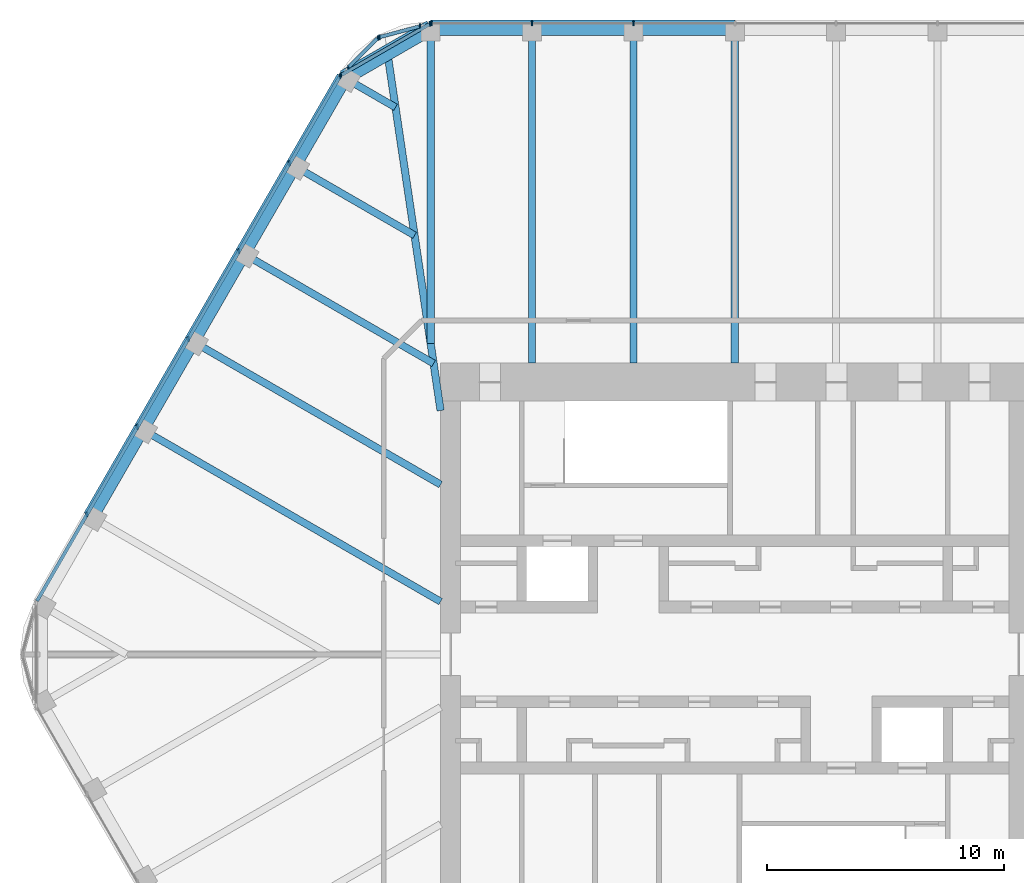
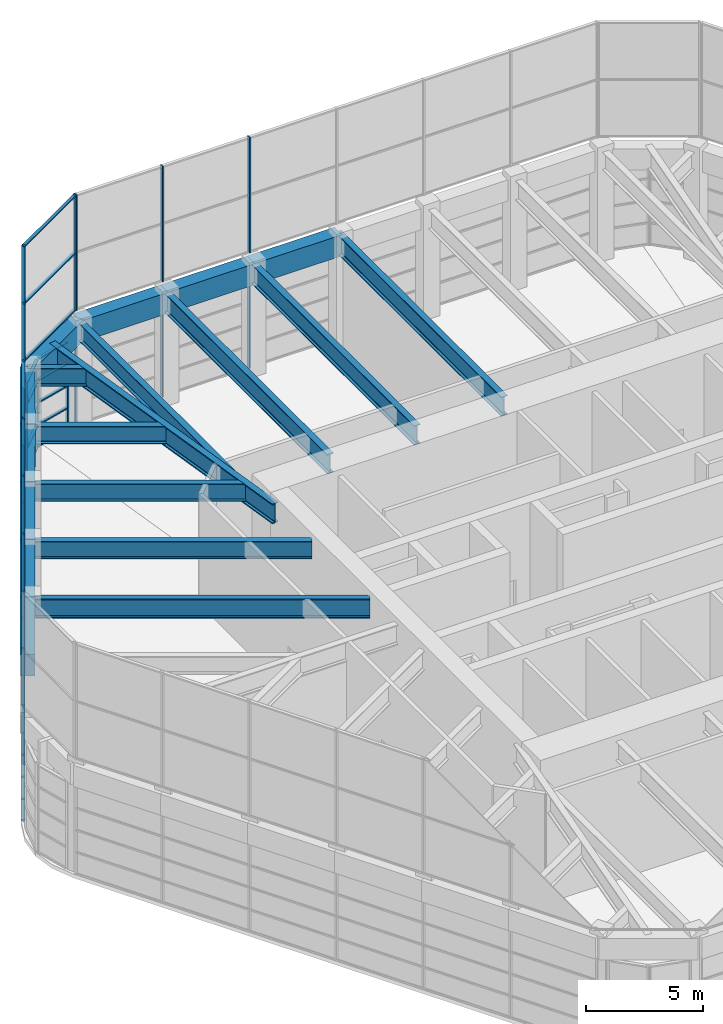
# One storey, part 7 of 17: 45 members, 19 beams, 7 elements without a shape of their own.
"""IFC4 building model written with IfcOpenShell, lengths in metres."""

from ifc_helpers import new_model, si_unit, direction, frame, origin, origin_2d, place, context, subcontext, project, spatial, rectangle, i_section, extrude, material, material_profile, profile_set, type_object, element, aggregate, save


model = new_model("IFC4")

# Units and contexts
model_context = context("Model", 3, precision=1e-05, world=origin(), true_north=direction((0.0, 1.0)))
body_context = subcontext(model_context, "Body", "Model", "MODEL_VIEW")
ifc_project = project(units=[si_unit("LENGTHUNIT", "METRE"), si_unit("AREAUNIT", "SQUARE_METRE"), si_unit("VOLUMEUNIT", "CUBIC_METRE"), si_unit("PLANEANGLEUNIT", "RADIAN"), si_unit("MASSUNIT", "GRAM", prefix="KILO")], contexts=[model_context])

# Site, building, storey
site_placement = place(None, origin())
site = spatial("IfcSite", under=ifc_project, at=site_placement, CompositionType="ELEMENT")
building_placement = place(site_placement, origin())
building = spatial("IfcBuilding", under=site, at=building_placement, Name="Tarfa Lantern Tower", CompositionType="ELEMENT")
storey_placement = place(building_placement, frame((0.0, 0.0, 402.300048828125)))
storey = spatial("IfcBuildingStorey", under=building, at=storey_placement, Name="L91", CompositionType="ELEMENT", Elevation=402.300048828125)

# Curtain wall, members
ifc_material_1 = material(Name="Aluminium framed curtain wall", Category="aluminium")
curtain_wall_type_1 = type_object("IfcCurtainWallType", Name="CW8 LANTERN GLAZING 4600", PredefinedType="USERDEFINED", material=ifc_material_1)
curtain_wall_1_placement = place(storey_placement, origin())
curtain_wall_1 = element("IfcCurtainWall", 1, at=curtain_wall_1_placement, inside=storey, type_object=curtain_wall_type_1, Name="CW8 NNW1 L91", ObjectType="CURTAIN WALL", PredefinedType="USERDEFINED")
ifc_material_2 = material(Name="Aluminium mullion", Category="aluminium")
ifc_material_profile_1 = material_profile(ifc_material_2, rectangle(XDim=0.06494140625, YDim=0.199951171875, at=origin_2d()), Name="AL MULLION 65x200")
ifc_profile_set_1 = profile_set([ifc_material_profile_1], Name="Aluminium mullion")
member_type_1 = type_object("IfcMemberType", Name="CWM1 MULLION 65x200", PredefinedType="MULLION", material=ifc_profile_set_1)
member_1_placement = place(storey_placement, frame((-13.30322265625, 26.527587890625, 0.0), z_axis=(0.0, 0.0, 1.0), x_axis=(1.0, 0.0, 0.0)))
member_1 = element("IfcMember", 2, at=member_1_placement, type_object=member_type_1, Name="CW8 mullion 1", PredefinedType="MULLION", context=body_context, shape_type="SweptSolid", body=[
    extrude(rectangle(XDim=0.06494140625, YDim=0.199951171875, at=origin_2d()), origin(), (0.0, 0.0, 1.0), 4.599853515625),
])
member_2_placement = place(storey_placement, frame((-15.0146484375, 26.06884765625, 0.0), z_axis=(0.0, 0.0, 1.0), x_axis=(1.0, 0.0, 0.0)))
member_2 = element("IfcMember", 3, at=member_2_placement, type_object=member_type_1, Name="CW8 mullion 2", PredefinedType="MULLION", context=body_context, shape_type="SweptSolid", body=[
    extrude(rectangle(XDim=0.06494140625, YDim=0.199951171875, at=origin_2d()), origin(), (0.0, 0.0, 1.0), 4.599853515625),
])

curtain_wall_2_placement = place(storey_placement, origin())
curtain_wall_2 = element("IfcCurtainWall", 4, at=curtain_wall_2_placement, inside=storey, type_object=curtain_wall_type_1, Name="CW8 NNW2 L91", ObjectType="CURTAIN WALL", PredefinedType="USERDEFINED")
member_3_placement = place(storey_placement, frame((-15.069091796875, 26.03759765625, 0.0), z_axis=(0.0, 0.0, 1.0), x_axis=(1.0, 0.0, 0.0)))
member_3 = element("IfcMember", 5, at=member_3_placement, type_object=member_type_1, Name="CW8 mullion 1", PredefinedType="MULLION", context=body_context, shape_type="SweptSolid", body=[
    extrude(rectangle(XDim=0.06494140625, YDim=0.199951171875, at=origin_2d()), origin(), (0.0, 0.0, 1.0), 4.599853515625),
])
member_4_placement = place(storey_placement, frame((-16.32177734375, 24.78466796875, 0.0), z_axis=(0.0, 0.0, 1.0), x_axis=(1.0, 0.0, 0.0)))
member_4 = element("IfcMember", 6, at=member_4_placement, type_object=member_type_1, Name="CW8 mullion 2", PredefinedType="MULLION", context=body_context, shape_type="SweptSolid", body=[
    extrude(rectangle(XDim=0.06494140625, YDim=0.199951171875, at=origin_2d()), origin(), (0.0, 0.0, 1.0), 4.599853515625),
])

curtain_wall_3_placement = place(storey_placement, origin())
curtain_wall_3 = element("IfcCurtainWall", 7, at=curtain_wall_3_placement, inside=storey, type_object=curtain_wall_type_1, Name="CW8 N L91", ObjectType="CURTAIN WALL", PredefinedType="USERDEFINED")
member_5_placement = place(storey_placement, frame((-4.281982421875, 26.64990234375, 0.0), z_axis=(0.0, 0.0, 1.0), x_axis=(1.0, 0.0, 0.0)))
member_5 = element("IfcMember", 8, at=member_5_placement, type_object=member_type_1, Name="CW8 mullion 5", PredefinedType="MULLION", context=body_context, shape_type="SweptSolid", body=[
    extrude(rectangle(XDim=0.06494140625, YDim=0.199951171875, at=origin_2d()), origin(), (0.0, 0.0, 1.0), 4.599853515625),
])
member_6_placement = place(storey_placement, frame((-8.56396484375, 26.64990234375, 0.0), z_axis=(0.0, 0.0, 1.0), x_axis=(1.0, 0.0, 0.0)))
member_6 = element("IfcMember", 9, at=member_6_placement, type_object=member_type_1, Name="CW8 mullion 6", PredefinedType="MULLION", context=body_context, shape_type="SweptSolid", body=[
    extrude(rectangle(XDim=0.06494140625, YDim=0.199951171875, at=origin_2d()), origin(), (0.0, 0.0, 1.0), 4.599853515625),
])
member_7_placement = place(storey_placement, frame((-12.8134765625, 26.64990234375, 0.0), z_axis=(0.0, 0.0, 1.0), x_axis=(1.0, 0.0, 0.0)))
member_7 = element("IfcMember", 10, at=member_7_placement, type_object=member_type_1, Name="CW8 mullion 7", PredefinedType="MULLION", context=body_context, shape_type="SweptSolid", body=[
    extrude(rectangle(XDim=0.06494140625, YDim=0.199951171875, at=origin_2d()), origin(), (0.0, 0.0, 1.0), 4.599853515625),
])
aggregate(curtain_wall_3, [member_5, member_6, member_7])

curtain_wall_4_placement = place(storey_placement, origin())
curtain_wall_4 = element("IfcCurtainWall", 11, at=curtain_wall_4_placement, inside=storey, type_object=curtain_wall_type_1, Name="CW8 NW L91", ObjectType="CURTAIN WALL", PredefinedType="USERDEFINED")
member_8_placement = place(storey_placement, frame((-16.6728515625, 24.421875, 0.0), z_axis=(0.0, 0.0, 1.0), x_axis=(1.0, 0.0, 0.0)))
member_8 = element("IfcMember", 12, at=member_8_placement, type_object=member_type_1, Name="CW8 mullion 1", PredefinedType="MULLION", context=body_context, shape_type="SweptSolid", body=[
    extrude(rectangle(XDim=0.06494140625, YDim=0.199951171875, at=origin_2d()), origin(), (0.0, 0.0, 1.0), 4.599853515625),
])
member_9_placement = place(storey_placement, frame((-18.797607421875, 20.74169921875, 0.0), z_axis=(0.0, 0.0, 1.0), x_axis=(1.0, 0.0, 0.0)))
member_9 = element("IfcMember", 13, at=member_9_placement, type_object=member_type_1, Name="CW8 mullion 2", PredefinedType="MULLION", context=body_context, shape_type="SweptSolid", body=[
    extrude(rectangle(XDim=0.06494140625, YDim=0.199951171875, at=origin_2d()), origin(), (0.0, 0.0, 1.0), 4.599853515625),
])
member_10_placement = place(storey_placement, frame((-20.9384765625, 17.033447265625, 0.0), z_axis=(0.0, 0.0, 1.0), x_axis=(1.0, 0.0, 0.0)))
member_10 = element("IfcMember", 14, at=member_10_placement, type_object=member_type_1, Name="CW8 mullion 3", PredefinedType="MULLION", context=body_context, shape_type="SweptSolid", body=[
    extrude(rectangle(XDim=0.06494140625, YDim=0.199951171875, at=origin_2d()), origin(), (0.0, 0.0, 1.0), 4.599853515625),
])
member_11_placement = place(storey_placement, frame((-23.07958984375, 13.324951171875, 0.0), z_axis=(0.0, 0.0, 1.0), x_axis=(1.0, 0.0, 0.0)))
member_11 = element("IfcMember", 15, at=member_11_placement, type_object=member_type_1, Name="CW8 mullion 4", PredefinedType="MULLION", context=body_context, shape_type="SweptSolid", body=[
    extrude(rectangle(XDim=0.06494140625, YDim=0.199951171875, at=origin_2d()), origin(), (0.0, 0.0, 1.0), 4.599853515625),
])
member_12_placement = place(storey_placement, frame((-25.220703125, 9.61669921875, 0.0), z_axis=(0.0, 0.0, 1.0), x_axis=(1.0, 0.0, 0.0)))
member_12 = element("IfcMember", 16, at=member_12_placement, type_object=member_type_1, Name="CW8 mullion 5", PredefinedType="MULLION", context=body_context, shape_type="SweptSolid", body=[
    extrude(rectangle(XDim=0.06494140625, YDim=0.199951171875, at=origin_2d()), origin(), (0.0, 0.0, 1.0), 4.599853515625),
])
member_13_placement = place(storey_placement, frame((-27.361572265625, 5.908447265625, 0.0), z_axis=(0.0, 0.0, 1.0), x_axis=(1.0, 0.0, 0.0)))
member_13 = element("IfcMember", 17, at=member_13_placement, type_object=member_type_1, Name="CW8 mullion 6", PredefinedType="MULLION", context=body_context, shape_type="SweptSolid", body=[
    extrude(rectangle(XDim=0.06494140625, YDim=0.199951171875, at=origin_2d()), origin(), (0.0, 0.0, 1.0), 4.599853515625),
])

curtain_wall_type_2 = type_object("IfcCurtainWallType", Name="CW9 CROWN SCREEN GLAZING 6000", PredefinedType="USERDEFINED", material=ifc_material_1)
curtain_wall_5_placement = place(storey_placement, origin())
curtain_wall_5 = element("IfcCurtainWall", 18, at=curtain_wall_5_placement, inside=storey, type_object=curtain_wall_type_2, Name="CW9 N L91", ObjectType="CURTAIN WALL", PredefinedType="USERDEFINED")
member_14_placement = place(storey_placement, frame((-4.281982421875, 26.64990234375, 6.0), z_axis=(0.0, 0.0, 1.0), x_axis=(1.0, 0.0, 0.0)))
member_14 = element("IfcMember", 19, at=member_14_placement, type_object=member_type_1, Name="CW9 mullion 5", PredefinedType="MULLION", context=body_context, shape_type="SweptSolid", body=[
    extrude(rectangle(XDim=0.06494140625, YDim=0.199951171875, at=origin_2d()), origin(), (0.0, 0.0, 1.0), 6.0),
])
member_15_placement = place(storey_placement, frame((-8.56396484375, 26.64990234375, 6.0), z_axis=(0.0, 0.0, 1.0), x_axis=(1.0, 0.0, 0.0)))
member_15 = element("IfcMember", 20, at=member_15_placement, type_object=member_type_1, Name="CW9 mullion 6", PredefinedType="MULLION", context=body_context, shape_type="SweptSolid", body=[
    extrude(rectangle(XDim=0.06494140625, YDim=0.199951171875, at=origin_2d()), origin(), (0.0, 0.0, 1.0), 6.0),
])
member_16_placement = place(storey_placement, frame((-12.8134765625, 26.64990234375, 6.0), z_axis=(0.0, 0.0, 1.0), x_axis=(1.0, 0.0, 0.0)))
member_16 = element("IfcMember", 21, at=member_16_placement, type_object=member_type_1, Name="CW9 mullion 7", PredefinedType="MULLION", context=body_context, shape_type="SweptSolid", body=[
    extrude(rectangle(XDim=0.06494140625, YDim=0.199951171875, at=origin_2d()), origin(), (0.0, 0.0, 1.0), 6.0),
])
aggregate(curtain_wall_5, [member_14, member_15, member_16])

curtain_wall_6_placement = place(storey_placement, origin())
curtain_wall_6 = element("IfcCurtainWall", 22, at=curtain_wall_6_placement, inside=storey, type_object=curtain_wall_type_2, Name="CW9 NW L91", ObjectType="CURTAIN WALL", PredefinedType="USERDEFINED")
member_17_placement = place(storey_placement, frame((-16.6728515625, 24.421875, 6.0), z_axis=(0.0, 0.0, 1.0), x_axis=(1.0, 0.0, 0.0)))
member_17 = element("IfcMember", 23, at=member_17_placement, type_object=member_type_1, Name="CW9 mullion 1", PredefinedType="MULLION", context=body_context, shape_type="SweptSolid", body=[
    extrude(rectangle(XDim=0.06494140625, YDim=0.199951171875, at=origin_2d()), origin(), (0.0, 0.0, 1.0), 6.0),
])
member_18_placement = place(storey_placement, frame((-18.797607421875, 20.74169921875, 6.0), z_axis=(0.0, 0.0, 1.0), x_axis=(1.0, 0.0, 0.0)))
member_18 = element("IfcMember", 24, at=member_18_placement, type_object=member_type_1, Name="CW9 mullion 2", PredefinedType="MULLION", context=body_context, shape_type="SweptSolid", body=[
    extrude(rectangle(XDim=0.06494140625, YDim=0.199951171875, at=origin_2d()), origin(), (0.0, 0.0, 1.0), 6.0),
])
member_19_placement = place(storey_placement, frame((-20.9384765625, 17.033447265625, 6.0), z_axis=(0.0, 0.0, 1.0), x_axis=(1.0, 0.0, 0.0)))
member_19 = element("IfcMember", 25, at=member_19_placement, type_object=member_type_1, Name="CW9 mullion 3", PredefinedType="MULLION", context=body_context, shape_type="SweptSolid", body=[
    extrude(rectangle(XDim=0.06494140625, YDim=0.199951171875, at=origin_2d()), origin(), (0.0, 0.0, 1.0), 6.0),
])
member_20_placement = place(storey_placement, frame((-23.07958984375, 13.324951171875, 6.0), z_axis=(0.0, 0.0, 1.0), x_axis=(1.0, 0.0, 0.0)))
member_20 = element("IfcMember", 26, at=member_20_placement, type_object=member_type_1, Name="CW9 mullion 4", PredefinedType="MULLION", context=body_context, shape_type="SweptSolid", body=[
    extrude(rectangle(XDim=0.06494140625, YDim=0.199951171875, at=origin_2d()), origin(), (0.0, 0.0, 1.0), 6.0),
])
member_21_placement = place(storey_placement, frame((-25.220703125, 9.61669921875, 6.0), z_axis=(0.0, 0.0, 1.0), x_axis=(1.0, 0.0, 0.0)))
member_21 = element("IfcMember", 27, at=member_21_placement, type_object=member_type_1, Name="CW9 mullion 5", PredefinedType="MULLION", context=body_context, shape_type="SweptSolid", body=[
    extrude(rectangle(XDim=0.06494140625, YDim=0.199951171875, at=origin_2d()), origin(), (0.0, 0.0, 1.0), 6.0),
])
member_22_placement = place(storey_placement, frame((-27.361572265625, 5.908447265625, 6.0), z_axis=(0.0, 0.0, 1.0), x_axis=(1.0, 0.0, 0.0)))
member_22 = element("IfcMember", 28, at=member_22_placement, type_object=member_type_1, Name="CW9 mullion 6", PredefinedType="MULLION", context=body_context, shape_type="SweptSolid", body=[
    extrude(rectangle(XDim=0.06494140625, YDim=0.199951171875, at=origin_2d()), origin(), (0.0, 0.0, 1.0), 6.0),
])

curtain_wall_7_placement = place(storey_placement, origin())
curtain_wall_7 = element("IfcCurtainWall", 29, at=curtain_wall_7_placement, inside=storey, type_object=curtain_wall_type_2, Name="CW9 NNW L91", ObjectType="CURTAIN WALL", PredefinedType="USERDEFINED")
member_23_placement = place(storey_placement, frame((-12.874267578125, 26.6337890625, 6.0), z_axis=(0.0, 0.0, 1.0), x_axis=(1.0, 0.0, 0.0)))
member_23 = element("IfcMember", 30, at=member_23_placement, type_object=member_type_1, Name="CW9 mullion 1", PredefinedType="MULLION", context=body_context, shape_type="SweptSolid", body=[
    extrude(rectangle(XDim=0.06494140625, YDim=0.199951171875, at=origin_2d()), origin(), (0.0, 0.0, 1.0), 6.0),
])
member_24_placement = place(storey_placement, frame((-16.62841796875, 24.46630859375, 6.0), z_axis=(0.0, 0.0, 1.0), x_axis=(1.0, 0.0, 0.0)))
member_24 = element("IfcMember", 31, at=member_24_placement, type_object=member_type_1, Name="CW9 mullion 2", PredefinedType="MULLION", context=body_context, shape_type="SweptSolid", body=[
    extrude(rectangle(XDim=0.06494140625, YDim=0.199951171875, at=origin_2d()), origin(), (0.0, 0.0, 1.0), 6.0),
])

# Member
ifc_material_3 = material(Name="Aluminium transom", Category="aluminium")
ifc_material_profile_2 = material_profile(ifc_material_3, rectangle(XDim=0.14990234375, YDim=0.06494140625, at=origin_2d()), Name="AL TRANSOM 150x65")
ifc_profile_set_2 = profile_set([ifc_material_profile_2], Name="Aluminium transom")
member_type_2 = type_object("IfcMemberType", Name="CWT1 TRANSOM 150x65", PredefinedType="USERDEFINED", material=ifc_profile_set_2)
member_25_placement = place(storey_placement, frame((-13.334716796875, 26.51904296875, 0.032470703125), z_axis=(-0.965932726646, -0.258793291247, 0.0), x_axis=(0.258793291247, -0.965932726646, 0.0)))
member_25 = element("IfcMember", 32, at=member_25_placement, type_object=member_type_2, Name="CW8 transom 1.1", ObjectType="TRANSOM", PredefinedType="USERDEFINED", context=body_context, shape_type="SweptSolid", body=[
    extrude(rectangle(XDim=0.14990234375, YDim=0.06494140625, at=origin_2d()), origin(), (0.0, 0.0, 1.0), 1.70654296875),
])

member_26_placement = place(storey_placement, frame((-13.334716796875, 26.51904296875, 1.14990234375), z_axis=(-0.965932726646, -0.258793291247, 0.0), x_axis=(0.258793291247, -0.965932726646, 0.0)))
member_26 = element("IfcMember", 33, at=member_26_placement, type_object=member_type_2, Name="CW8 transom 1.2", ObjectType="TRANSOM", PredefinedType="USERDEFINED", context=body_context, shape_type="SweptSolid", body=[
    extrude(rectangle(XDim=0.14990234375, YDim=0.06494140625, at=origin_2d()), origin(), (0.0, 0.0, 1.0), 1.70654296875),
])

member_27_placement = place(storey_placement, frame((-13.334716796875, 26.51904296875, 2.300048828125), z_axis=(-0.965932726646, -0.258793291247, 0.0), x_axis=(0.258793291247, -0.965932726646, 0.0)))
member_27 = element("IfcMember", 34, at=member_27_placement, type_object=member_type_2, Name="CW8 transom 1.3", ObjectType="TRANSOM", PredefinedType="USERDEFINED", context=body_context, shape_type="SweptSolid", body=[
    extrude(rectangle(XDim=0.14990234375, YDim=0.06494140625, at=origin_2d()), origin(), (0.0, 0.0, 1.0), 1.70654296875),
])

member_28_placement = place(storey_placement, frame((-13.334716796875, 26.51904296875, 3.449951171875), z_axis=(-0.965932726646, -0.258793291247, 0.0), x_axis=(0.258793291247, -0.965932726646, 0.0)))
member_28 = element("IfcMember", 35, at=member_28_placement, type_object=member_type_2, Name="CW8 transom 1.4", ObjectType="TRANSOM", PredefinedType="USERDEFINED", context=body_context, shape_type="SweptSolid", body=[
    extrude(rectangle(XDim=0.14990234375, YDim=0.06494140625, at=origin_2d()), origin(), (0.0, 0.0, 1.0), 1.70654296875),
])

member_29_placement = place(storey_placement, frame((-13.334716796875, 26.51904296875, 4.5673828125), z_axis=(-0.965932726646, -0.258793291247, 0.0), x_axis=(0.258793291247, -0.965932726646, 0.0)))
member_29 = element("IfcMember", 36, at=member_29_placement, type_object=member_type_2, Name="CW8 transom 1.5", ObjectType="TRANSOM", PredefinedType="USERDEFINED", context=body_context, shape_type="SweptSolid", body=[
    extrude(rectangle(XDim=0.14990234375, YDim=0.06494140625, at=origin_2d()), origin(), (0.0, 0.0, 1.0), 1.70654296875),
])

aggregate(curtain_wall_1, [member_1, member_2, member_25, member_26, member_27, member_28, member_29])

member_30_placement = place(storey_placement, frame((-15.092041015625, 26.0146484375, 0.032470703125), z_axis=(-0.707035258729, -0.70717829641, 0.0), x_axis=(0.70717829641, -0.707035258729, 0.0)))
member_30 = element("IfcMember", 37, at=member_30_placement, type_object=member_type_2, Name="CW8 transom 1.1", ObjectType="TRANSOM", PredefinedType="USERDEFINED", context=body_context, shape_type="SweptSolid", body=[
    extrude(rectangle(XDim=0.14990234375, YDim=0.06494140625, at=origin_2d()), origin(), (0.0, 0.0, 1.0), 1.706787109375),
])

member_31_placement = place(storey_placement, frame((-15.092041015625, 26.0146484375, 1.14990234375), z_axis=(-0.707035258729, -0.70717829641, 0.0), x_axis=(0.70717829641, -0.707035258729, 0.0)))
member_31 = element("IfcMember", 38, at=member_31_placement, type_object=member_type_2, Name="CW8 transom 1.2", ObjectType="TRANSOM", PredefinedType="USERDEFINED", context=body_context, shape_type="SweptSolid", body=[
    extrude(rectangle(XDim=0.14990234375, YDim=0.06494140625, at=origin_2d()), origin(), (0.0, 0.0, 1.0), 1.706787109375),
])

member_32_placement = place(storey_placement, frame((-15.092041015625, 26.0146484375, 2.300048828125), z_axis=(-0.707035258729, -0.70717829641, 0.0), x_axis=(0.70717829641, -0.707035258729, 0.0)))
member_32 = element("IfcMember", 39, at=member_32_placement, type_object=member_type_2, Name="CW8 transom 1.3", ObjectType="TRANSOM", PredefinedType="USERDEFINED", context=body_context, shape_type="SweptSolid", body=[
    extrude(rectangle(XDim=0.14990234375, YDim=0.06494140625, at=origin_2d()), origin(), (0.0, 0.0, 1.0), 1.706787109375),
])

member_33_placement = place(storey_placement, frame((-15.092041015625, 26.0146484375, 3.449951171875), z_axis=(-0.707035258729, -0.70717829641, 0.0), x_axis=(0.70717829641, -0.707035258729, 0.0)))
member_33 = element("IfcMember", 40, at=member_33_placement, type_object=member_type_2, Name="CW8 transom 1.4", ObjectType="TRANSOM", PredefinedType="USERDEFINED", context=body_context, shape_type="SweptSolid", body=[
    extrude(rectangle(XDim=0.14990234375, YDim=0.06494140625, at=origin_2d()), origin(), (0.0, 0.0, 1.0), 1.706787109375),
])

member_34_placement = place(storey_placement, frame((-15.092041015625, 26.0146484375, 4.5673828125), z_axis=(-0.707035258729, -0.70717829641, 0.0), x_axis=(0.70717829641, -0.707035258729, 0.0)))
member_34 = element("IfcMember", 41, at=member_34_placement, type_object=member_type_2, Name="CW8 transom 1.5", ObjectType="TRANSOM", PredefinedType="USERDEFINED", context=body_context, shape_type="SweptSolid", body=[
    extrude(rectangle(XDim=0.14990234375, YDim=0.06494140625, at=origin_2d()), origin(), (0.0, 0.0, 1.0), 1.706787109375),
])

aggregate(curtain_wall_2, [member_3, member_4, member_30, member_31, member_32, member_33, member_34])

member_35_placement = place(storey_placement, frame((-16.68896484375, 24.393798828125, 0.032470703125), z_axis=(-0.500005475065, -0.866022242731, 0.0), x_axis=(0.866022242731, -0.500005475065, 0.0)))
member_35 = element("IfcMember", 42, at=member_35_placement, type_object=member_type_2, Name="CW8 transom 1.1", ObjectType="TRANSOM", PredefinedType="USERDEFINED", context=body_context, shape_type="SweptSolid", body=[
    extrude(rectangle(XDim=0.14990234375, YDim=0.06494140625, at=origin_2d()), origin(), (0.0, 0.0, 1.0), 25.562255859375),
])

member_36_placement = place(storey_placement, frame((-16.68896484375, 24.393798828125, 1.14990234375), z_axis=(-0.500005475065, -0.866022242731, 0.0), x_axis=(0.866022242731, -0.500005475065, 0.0)))
member_36 = element("IfcMember", 43, at=member_36_placement, type_object=member_type_2, Name="CW8 transom 1.2", ObjectType="TRANSOM", PredefinedType="USERDEFINED", context=body_context, shape_type="SweptSolid", body=[
    extrude(rectangle(XDim=0.14990234375, YDim=0.06494140625, at=origin_2d()), origin(), (0.0, 0.0, 1.0), 25.562255859375),
])

member_37_placement = place(storey_placement, frame((-16.68896484375, 24.393798828125, 2.300048828125), z_axis=(-0.500005475065, -0.866022242731, 0.0), x_axis=(0.866022242731, -0.500005475065, 0.0)))
member_37 = element("IfcMember", 44, at=member_37_placement, type_object=member_type_2, Name="CW8 transom 1.3", ObjectType="TRANSOM", PredefinedType="USERDEFINED", context=body_context, shape_type="SweptSolid", body=[
    extrude(rectangle(XDim=0.14990234375, YDim=0.06494140625, at=origin_2d()), origin(), (0.0, 0.0, 1.0), 25.562255859375),
])

member_38_placement = place(storey_placement, frame((-16.68896484375, 24.393798828125, 3.449951171875), z_axis=(-0.500005475065, -0.866022242731, 0.0), x_axis=(0.866022242731, -0.500005475065, 0.0)))
member_38 = element("IfcMember", 45, at=member_38_placement, type_object=member_type_2, Name="CW8 transom 1.4", ObjectType="TRANSOM", PredefinedType="USERDEFINED", context=body_context, shape_type="SweptSolid", body=[
    extrude(rectangle(XDim=0.14990234375, YDim=0.06494140625, at=origin_2d()), origin(), (0.0, 0.0, 1.0), 25.562255859375),
])

member_39_placement = place(storey_placement, frame((-16.68896484375, 24.393798828125, 4.5673828125), z_axis=(-0.500005475065, -0.866022242731, 0.0), x_axis=(0.866022242731, -0.500005475065, 0.0)))
member_39 = element("IfcMember", 46, at=member_39_placement, type_object=member_type_2, Name="CW8 transom 1.5", ObjectType="TRANSOM", PredefinedType="USERDEFINED", context=body_context, shape_type="SweptSolid", body=[
    extrude(rectangle(XDim=0.14990234375, YDim=0.06494140625, at=origin_2d()), origin(), (0.0, 0.0, 1.0), 25.562255859375),
])

aggregate(curtain_wall_4, [member_8, member_9, member_10, member_11, member_12, member_13, member_35, member_36, member_37, member_38, member_39])

member_40_placement = place(storey_placement, frame((-16.68896484375, 24.393798828125, 6.032470703125), z_axis=(-0.500005475065, -0.866022242731, 0.0), x_axis=(0.866022242731, -0.500005475065, 0.0)))
member_40 = element("IfcMember", 47, at=member_40_placement, type_object=member_type_2, Name="CW9 transom 1.1", ObjectType="TRANSOM", PredefinedType="USERDEFINED", context=body_context, shape_type="SweptSolid", body=[
    extrude(rectangle(XDim=0.14990234375, YDim=0.06494140625, at=origin_2d()), origin(), (0.0, 0.0, 1.0), 25.562255859375),
])

member_41_placement = place(storey_placement, frame((-16.68896484375, 24.393798828125, 9.0), z_axis=(-0.500005475065, -0.866022242731, 0.0), x_axis=(0.866022242731, -0.500005475065, 0.0)))
member_41 = element("IfcMember", 48, at=member_41_placement, type_object=member_type_2, Name="CW9 transom 1.2", ObjectType="TRANSOM", PredefinedType="USERDEFINED", context=body_context, shape_type="SweptSolid", body=[
    extrude(rectangle(XDim=0.14990234375, YDim=0.06494140625, at=origin_2d()), origin(), (0.0, 0.0, 1.0), 25.562255859375),
])

member_42_placement = place(storey_placement, frame((-16.68896484375, 24.393798828125, 11.967529296875), z_axis=(-0.500005475065, -0.866022242731, 0.0), x_axis=(0.866022242731, -0.500005475065, 0.0)))
member_42 = element("IfcMember", 49, at=member_42_placement, type_object=member_type_2, Name="CW9 transom 1.3", ObjectType="TRANSOM", PredefinedType="USERDEFINED", context=body_context, shape_type="SweptSolid", body=[
    extrude(rectangle(XDim=0.14990234375, YDim=0.06494140625, at=origin_2d()), origin(), (0.0, 0.0, 1.0), 25.562255859375),
])

aggregate(curtain_wall_6, [member_17, member_18, member_19, member_20, member_21, member_22, member_40, member_41, member_42])

member_43_placement = place(storey_placement, frame((-12.90234375, 26.617431640625, 6.032470703125), z_axis=(-0.866028486751, -0.499994660107, 0.0), x_axis=(0.499994660107, -0.866028486751, 0.0)))
member_43 = element("IfcMember", 50, at=member_43_placement, type_object=member_type_2, Name="CW9 transom 1.1", ObjectType="TRANSOM", PredefinedType="USERDEFINED", context=body_context, shape_type="SweptSolid", body=[
    extrude(rectangle(XDim=0.14990234375, YDim=0.06494140625, at=origin_2d()), origin(), (0.0, 0.0, 1.0), 4.27001953125),
])

member_44_placement = place(storey_placement, frame((-12.90234375, 26.617431640625, 9.0), z_axis=(-0.866028486751, -0.499994660107, 0.0), x_axis=(0.499994660107, -0.866028486751, 0.0)))
member_44 = element("IfcMember", 51, at=member_44_placement, type_object=member_type_2, Name="CW9 transom 1.2", ObjectType="TRANSOM", PredefinedType="USERDEFINED", context=body_context, shape_type="SweptSolid", body=[
    extrude(rectangle(XDim=0.14990234375, YDim=0.06494140625, at=origin_2d()), origin(), (0.0, 0.0, 1.0), 4.27001953125),
])

member_45_placement = place(storey_placement, frame((-12.90234375, 26.617431640625, 11.967529296875), z_axis=(-0.866028486751, -0.499994660107, 0.0), x_axis=(0.499994660107, -0.866028486751, 0.0)))
member_45 = element("IfcMember", 52, at=member_45_placement, type_object=member_type_2, Name="CW9 transom 1.3", ObjectType="TRANSOM", PredefinedType="USERDEFINED", context=body_context, shape_type="SweptSolid", body=[
    extrude(rectangle(XDim=0.14990234375, YDim=0.06494140625, at=origin_2d()), origin(), (0.0, 0.0, 1.0), 4.27001953125),
])

aggregate(curtain_wall_7, [member_23, member_24, member_43, member_44, member_45])

# Beams
ifc_material_4 = material(Name="Concrete C80/95", Category="concrete")
ifc_material_profile_3 = material_profile(ifc_material_4, rectangle(XDim=0.64990234375, YDim=1.10009765625, at=origin_2d()), Name="RC 650x1100")
ifc_profile_set_3 = profile_set([ifc_material_profile_3], Name="Concrete C80/95")
beam_type_1 = type_object("IfcBeamType", Name="EB4 RC 650x1100", PredefinedType="SPANDREL", material=ifc_profile_set_3)
for number, where, z_axis, x_axis, name in (
    (53, (0.0, 26.469970703125, 5.14990234375), (-1.0, 0.0, 0.0), (0.0, -1.0, 0.0), "Edge beam N3"),
    (54, (-4.281982421875, 26.469970703125, 5.14990234375), (-1.0, 0.0, 0.0), (0.0, -1.0, 0.0), "Edge beam N4"),
    (55, (-8.56396484375, 26.469970703125, 5.14990234375), (-1.0, 0.0, 0.0), (0.0, -1.0, 0.0), "Edge beam N5"),
):
    element("IfcBeam", number, at=place(storey_placement, frame(where, z_axis=z_axis, x_axis=x_axis)), inside=storey, type_object=beam_type_1, Name=name, PredefinedType="SPANDREL", context=body_context, shape_type="SweptSolid", body=[
        extrude(rectangle(XDim=0.64990234375, YDim=1.10009765625, at=origin_2d()), origin(), (0.0, 0.0, 1.0), 4.281982421875),
    ])
beam_1_placement = place(storey_placement, frame((-12.845947265625, 26.469970703125, 5.14990234375), z_axis=(-0.866048788483, -0.499959494327, 0.0), x_axis=(0.499959494327, -0.866048788483, 0.0)))
element("IfcBeam", 56, at=beam_1_placement, inside=storey, type_object=beam_type_1, Name="Edge beam N6", PredefinedType="SPANDREL", context=body_context, shape_type="SweptSolid", body=[
    extrude(rectangle(XDim=0.64990234375, YDim=1.10009765625, at=origin_2d()), origin(), (0.0, 0.0, 1.0), 4.219970703125),
])
for number, where, z_axis, x_axis, name in (
    (57, (-16.500732421875, 24.360107421875, 5.14990234375), (-0.499959351497, -0.866048870937, 0.0), (0.866048870937, -0.499959351497, 0.0), "Edge beam NW0"),
    (58, (-18.6416015625, 20.651611328125, 5.14990234375), (-0.500026801138, -0.866009929587, 0.0), (0.866009929587, -0.500026801138, 0.0), "Edge beam NW1"),
    (59, (-20.78271484375, 16.943359375, 5.14990234375), (-0.499984039138, -0.866034618596, 0.0), (0.866034618596, -0.499984039138, 0.0), "Edge beam NW2"),
):
    element("IfcBeam", number, at=place(storey_placement, frame(where, z_axis=z_axis, x_axis=x_axis)), inside=storey, type_object=beam_type_1, Name=name, PredefinedType="SPANDREL", context=body_context, shape_type="SweptSolid", body=[
        extrude(rectangle(XDim=0.64990234375, YDim=1.10009765625, at=origin_2d()), origin(), (0.0, 0.0, 1.0), 4.281982421875),
    ])
beam_2_placement = place(storey_placement, frame((-22.923583984375, 13.235107421875, 5.14990234375), z_axis=(-0.500002112793, -0.866024183959, 0.0), x_axis=(0.866024183959, -0.500002112793, 0.0)))
element("IfcBeam", 60, at=beam_2_placement, inside=storey, type_object=beam_type_1, Name="Edge beam NW3", PredefinedType="SPANDREL", context=body_context, shape_type="SweptSolid", body=[
    extrude(rectangle(XDim=0.64990234375, YDim=1.10009765625, at=origin_2d()), origin(), (0.0, 0.0, 1.0), 4.2822265625),
])
beam_3_placement = place(storey_placement, frame((-25.064697265625, 9.526611328125, 5.14990234375), z_axis=(-0.500026801138, -0.866009929587, 0.0), x_axis=(0.866009929587, -0.500026801138, 0.0)))
element("IfcBeam", 61, at=beam_3_placement, inside=storey, type_object=beam_type_1, Name="Edge beam NW4", PredefinedType="SPANDREL", context=body_context, shape_type="SweptSolid", body=[
    extrude(rectangle(XDim=0.64990234375, YDim=1.10009765625, at=origin_2d()), origin(), (0.0, 0.0, 1.0), 4.281982421875),
])
ifc_material_5 = material(Name="Steel S460M", Category="steel")
ifc_material_profile_4 = material_profile(ifc_material_5, i_section(OverallWidth=0.302001953125, OverallDepth=1.008056640625, WebThickness=0.02099609375, FlangeThickness=0.0400390625, FilletRadius=0.030029296875, at=origin_2d()), Name="UB1016x305x349")
ifc_profile_set_4 = profile_set([ifc_material_profile_4], Name="Steel S460M")
beam_type_2 = type_object("IfcBeamType", Name="UB1016x305x349", PredefinedType="BEAM", material=ifc_profile_set_4)
for number, where, z_axis, x_axis, name in (
    (62, (0.0, 26.469970703125, 5.19580078125), (0.0, -1.0, 0.0), (1.0, 0.0, 0.0), "Floor beam N3"),
    (63, (-4.281982421875, 26.469970703125, 5.19580078125), (0.0, -1.0, 0.0), (1.0, 0.0, 0.0), "Floor beam N4"),
    (64, (-8.56396484375, 26.469970703125, 5.19580078125), (0.0, -1.0, 0.0), (1.0, 0.0, 0.0), "Floor beam N5"),
):
    element("IfcBeam", number, at=place(storey_placement, frame(where, z_axis=z_axis, x_axis=x_axis)), inside=storey, type_object=beam_type_2, Name=name, PredefinedType="BEAM", context=body_context, shape_type="SweptSolid", body=[
        extrude(i_section(OverallWidth=0.302001953125, OverallDepth=1.008056640625, WebThickness=0.02099609375, FlangeThickness=0.0400390625, FilletRadius=0.030029296875, at=origin_2d()), origin(), (0.0, 0.0, 1.0), 14.169921875),
    ])
beam_4_placement = place(storey_placement, frame((-25.064697265625, 9.526611328125, 5.19580078125), z_axis=(0.866029591389, -0.499992746786, 0.0), x_axis=(0.499992746786, 0.866029591389, 0.0)))
element("IfcBeam", 65, at=beam_4_placement, inside=storey, type_object=beam_type_2, Name="Floor beam NW4", PredefinedType="BEAM", context=body_context, shape_type="SweptSolid", body=[
    extrude(i_section(OverallWidth=0.302001953125, OverallDepth=1.008056640625, WebThickness=0.02099609375, FlangeThickness=0.0400390625, FilletRadius=0.030029296875, at=origin_2d()), origin(), (0.0, 0.0, 1.0), 14.594970703125),
])
ifc_material_profile_5 = material_profile(ifc_material_5, i_section(OverallWidth=0.30859375, OverallDepth=1.036376953125, WebThickness=0.030029296875, FlangeThickness=0.05419921875, FilletRadius=0.030029296875, at=origin_2d()), Name="UB1016x305x487")
ifc_profile_set_5 = profile_set([ifc_material_profile_5], Name="Steel S460M")
beam_type_3 = type_object("IfcBeamType", Name="UB1016x305x487", PredefinedType="BEAM", material=ifc_profile_set_5)
beam_5_placement = place(storey_placement, frame((-12.425048828125, 10.300048828125, 5.181884765625), z_axis=(-0.147127069073, 0.989117599452, 0.0), x_axis=(-0.989117599452, -0.147127069073, 0.0)))
element("IfcBeam", 66, at=beam_5_placement, inside=storey, type_object=beam_type_3, Name="Hip girder NW", PredefinedType="BEAM", context=body_context, shape_type="SweptSolid", body=[
    extrude(i_section(OverallWidth=0.30859375, OverallDepth=1.036376953125, WebThickness=0.030029296875, FlangeThickness=0.05419921875, FilletRadius=0.030029296875, at=origin_2d()), origin(), (0.0, 0.0, 1.0), 15.28125),
])
ifc_material_profile_6 = material_profile(ifc_material_5, i_section(OverallWidth=0.305419921875, OverallDepth=0.91845703125, WebThickness=0.017333984375, FlangeThickness=0.02783203125, FilletRadius=0.01904296875, at=origin_2d()), Name="UB914x305x253")
ifc_profile_set_6 = profile_set([ifc_material_profile_6], Name="Steel S460M")
beam_type_4 = type_object("IfcBeamType", Name="UB914x305x253", PredefinedType="BEAM", material=ifc_profile_set_6)
beam_6_placement = place(storey_placement, frame((-12.845947265625, 26.469970703125, 5.24072265625), z_axis=(0.0, -1.0, 0.0), x_axis=(1.0, 0.0, 0.0)))
element("IfcBeam", 67, at=beam_6_placement, inside=storey, type_object=beam_type_4, Name="Floor beam N6", PredefinedType="BEAM", context=body_context, shape_type="SweptSolid", body=[
    extrude(i_section(OverallWidth=0.305419921875, OverallDepth=0.91845703125, WebThickness=0.017333984375, FlangeThickness=0.02783203125, FilletRadius=0.01904296875, at=origin_2d()), origin(), (0.0, 0.0, 1.0), 13.33935546875),
])
beam_7_placement = place(storey_placement, frame((-16.500732421875, 24.360107421875, 5.24072265625), z_axis=(0.865992557167, -0.500056887695, 0.0), x_axis=(0.500056887695, 0.865992557167, 0.0)))
element("IfcBeam", 68, at=beam_7_placement, inside=storey, type_object=beam_type_4, Name="Floor beam NW0", PredefinedType="BEAM", context=body_context, shape_type="SweptSolid", body=[
    extrude(i_section(OverallWidth=0.305419921875, OverallDepth=0.91845703125, WebThickness=0.017333984375, FlangeThickness=0.02783203125, FilletRadius=0.01904296875, at=origin_2d()), origin(), (0.0, 0.0, 1.0), 2.506591796875),
])
beam_8_placement = place(storey_placement, frame((-18.6416015625, 20.651611328125, 5.24072265625), z_axis=(0.866024549157, -0.500001480256, 0.0), x_axis=(0.500001480256, 0.866024549157, 0.0)))
element("IfcBeam", 69, at=beam_8_placement, inside=storey, type_object=beam_type_4, Name="Floor beam NW1", PredefinedType="BEAM", context=body_context, shape_type="SweptSolid", body=[
    extrude(i_section(OverallWidth=0.305419921875, OverallDepth=0.91845703125, WebThickness=0.017333984375, FlangeThickness=0.02783203125, FilletRadius=0.01904296875, at=origin_2d()), origin(), (0.0, 0.0, 1.0), 5.90771484375),
])
beam_9_placement = place(storey_placement, frame((-20.78271484375, 16.943359375, 5.24072265625), z_axis=(0.866021806508, -0.500006230613, 0.0), x_axis=(0.500006230613, 0.866021806508, 0.0)))
element("IfcBeam", 70, at=beam_9_placement, inside=storey, type_object=beam_type_4, Name="Floor beam NW2", PredefinedType="BEAM", context=body_context, shape_type="SweptSolid", body=[
    extrude(i_section(OverallWidth=0.305419921875, OverallDepth=0.91845703125, WebThickness=0.017333984375, FlangeThickness=0.02783203125, FilletRadius=0.01904296875, at=origin_2d()), origin(), (0.0, 0.0, 1.0), 9.30908203125),
])
beam_10_placement = place(storey_placement, frame((-22.923583984375, 13.235107421875, 5.24072265625), z_axis=(0.86601856927, -0.500011837539, 0.0), x_axis=(0.500011837539, 0.86601856927, 0.0)))
element("IfcBeam", 71, at=beam_10_placement, inside=storey, type_object=beam_type_4, Name="Floor beam NW3", PredefinedType="BEAM", context=body_context, shape_type="SweptSolid", body=[
    extrude(i_section(OverallWidth=0.305419921875, OverallDepth=0.91845703125, WebThickness=0.017333984375, FlangeThickness=0.02783203125, FilletRadius=0.01904296875, at=origin_2d()), origin(), (0.0, 0.0, 1.0), 12.122802734375),
])

save(model, "model.ifc")
